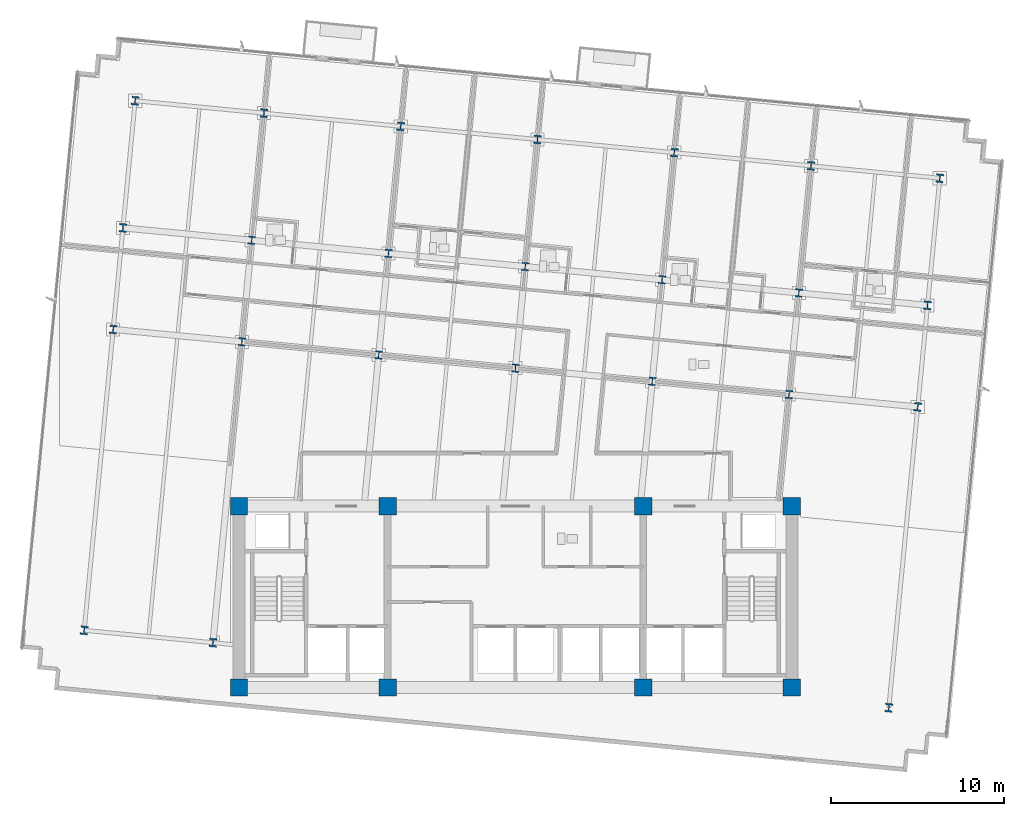
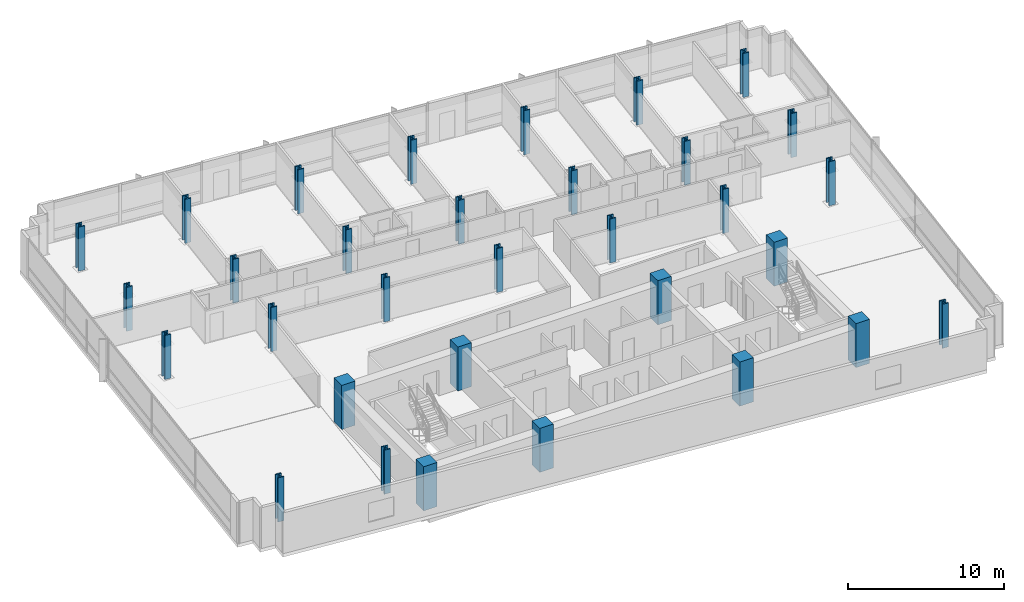
# One storey, part 1 of 17: 32 columns.
"""IFC4 building model written with IfcOpenShell, lengths in metres."""

import ifcopenshell
import ifcopenshell.guid

model = None  # the IFC model being written
_history = None  # IfcOwnerHistory: only IFC2X3 demands one
_inside = {}  # id of a spatial element -> (the spatial element, [elements in it])
_under = {}  # id of a project, library or spatial element -> (it, [spatial elements below it])
_declared = {}  # id of a project -> (the project, [libraries it declares])
_typed = {}  # id of a type object -> (the type object, [elements of that type])
_made_of = {}  # id of a material, layer set ... -> (it, [elements and type objects made of it])


def new_model(schema):
    """Start an empty IFC model of exactly this schema.

    Asked for "IFC4X3", IfcOpenShell would pick the latest addendum, in which some entities
    have other attributes; the version numbers below select the first issue.
    IFC2X3 requires an IfcOwnerHistory on every rooted entity: one is made here for all.
    """
    global model, _history
    if schema == "IFC4X3":
        model = ifcopenshell.file(schema_version=(4, 3, 0, 0))
    else:
        model = ifcopenshell.file(schema=schema)
    _inside.clear()
    _under.clear()
    _declared.clear()
    _typed.clear()
    _made_of.clear()
    _history = None
    if model.schema == "IFC2X3":
        org = make("IfcOrganization", Name="unknown")
        user = make(
            "IfcPersonAndOrganization",
            ThePerson=make("IfcPerson", FamilyName="unknown"),
            TheOrganization=org,
        )
        app = make(
            "IfcApplication",
            ApplicationDeveloper=org,
            Version="unknown",
            ApplicationFullName="unknown",
            ApplicationIdentifier="unknown",
        )
        _history = make(
            "IfcOwnerHistory",
            OwningUser=user,
            OwningApplication=app,
            ChangeAction="ADDED",
            CreationDate=0,
        )
    return model


def make(cls, **values):
    """One entity of the class cls with the attributes given. An attribute that is None is left unset."""
    return model.create_entity(
        cls, **{name: value for name, value in values.items() if value is not None}
    )


def rooted(cls, **values):
    """An entity with a GlobalId (a new one), such as an element, a storey or a relation."""
    return make(cls, GlobalId=ifcopenshell.guid.new(), OwnerHistory=_history, **values)


def si_unit(unit_type, name, prefix=None):
    """IfcSIUnit, for example si_unit("LENGTHUNIT", "METRE", prefix="MILLI")."""
    return make("IfcSIUnit", UnitType=unit_type, Prefix=prefix, Name=name)


def assignment(units):
    """IfcUnitAssignment: the units of a project."""
    return None if units is None else make("IfcUnitAssignment", Units=units)


def point(xyz):
    """IfcCartesianPoint."""
    return None if xyz is None else make("IfcCartesianPoint", Coordinates=xyz)


def direction(xyz):
    """IfcDirection."""
    return None if xyz is None else make("IfcDirection", DirectionRatios=xyz)


def frame(location, z_axis=None, x_axis=None):
    """IfcAxis2Placement3D, a coordinate frame: its origin and axes. An axis left out is left unset."""
    return make(
        "IfcAxis2Placement3D",
        Location=point(location),
        Axis=direction(z_axis),
        RefDirection=direction(x_axis),
    )


def frame_2d(location, x_axis=None):
    """IfcAxis2Placement2D, a coordinate frame in the plane: its origin and x axis."""
    return make(
        "IfcAxis2Placement2D", Location=point(location), RefDirection=direction(x_axis)
    )


def origin():
    """The frame at (0, 0, 0) with its axes left unset."""
    return frame((0.0, 0.0, 0.0))


def origin_2d():
    """The frame at (0, 0) in the plane with its x axis left unset."""
    return frame_2d((0.0, 0.0))


def place(relative_to, where):
    """IfcLocalPlacement: puts the frame where relative to a parent placement (None: the world)."""
    return make(
        "IfcLocalPlacement", PlacementRelTo=relative_to, RelativePlacement=where
    )


def context(
    kind, dimensions, precision=None, world=None, true_north=None, identifier=None
):
    """IfcGeometricRepresentationContext, for example the 3D "Model" context."""
    return make(
        "IfcGeometricRepresentationContext",
        ContextIdentifier=identifier,
        ContextType=kind,
        CoordinateSpaceDimension=dimensions,
        Precision=precision,
        WorldCoordinateSystem=world,
        TrueNorth=true_north,
    )


def subcontext(parent, identifier, kind, view, scale=None):
    """IfcGeometricRepresentationSubContext, for example "Body" below "Model"."""
    return make(
        "IfcGeometricRepresentationSubContext",
        ContextIdentifier=identifier,
        ContextType=kind,
        ParentContext=parent,
        TargetScale=scale,
        TargetView=view,
    )


def project(units=None, contexts=None):
    """IfcProject with its units and contexts."""
    return rooted(
        "IfcProject",
        Name="project",
        RepresentationContexts=contexts,
        UnitsInContext=assignment(units),
    )


def spatial(cls, under=None, at=None, **own):
    """A site, building, storey or space (cls), placed at a placement, below another one or the project."""
    s = rooted(cls, ObjectPlacement=at, **own)
    if under is not None:
        _under.setdefault(under.id(), (under, []))[1].append(s)
    return s


def profile(cls, at=None, kind="AREA", **sizes):
    """A parametric profile (cls). Its sizes go by their IFC names, for example OverallWidth=200.0."""
    return make(cls, ProfileType=kind, Position=at, **sizes)


def rectangle(**sizes):
    """IfcRectangleProfileDef."""
    return profile("IfcRectangleProfileDef", **sizes)


def i_section(**sizes):
    """IfcIShapeProfileDef."""
    return profile("IfcIShapeProfileDef", **sizes)


def extrude(swept, where, along, depth):
    """IfcExtrudedAreaSolid: the profile swept, set in the frame where, extruded along a direction by depth."""
    return make(
        "IfcExtrudedAreaSolid",
        SweptArea=swept,
        Position=where,
        ExtrudedDirection=direction(along),
        Depth=depth,
    )


def shape(context_of_items, identifier, shape_type, items):
    """IfcShapeRepresentation: the items that make up one representation, for example the "Body"."""
    return make(
        "IfcShapeRepresentation",
        ContextOfItems=context_of_items,
        RepresentationIdentifier=identifier,
        RepresentationType=shape_type,
        Items=items,
    )


def material(Name=None, Category=None):
    """IfcMaterial."""
    return make("IfcMaterial", Name=Name, Category=Category)


def material_profile(
    of_material, cross_section, Name=None, Category=None, Priority=None
):
    """IfcMaterialProfile: a cross section and its material."""
    return make(
        "IfcMaterialProfile",
        Name=Name,
        Material=of_material,
        Profile=cross_section,
        Priority=Priority,
        Category=Category,
    )


def profile_set(profiles, Name=None, composite=None):
    """IfcMaterialProfileSet."""
    return make(
        "IfcMaterialProfileSet",
        Name=Name,
        MaterialProfiles=profiles,
        CompositeProfile=composite,
    )


def made_of(thing, what):
    """Note that an element or type object is made of a material, layer set ...; save() writes the relation."""
    if what is not None:
        _made_of.setdefault(what.id(), (what, []))[1].append(thing)
    return thing


def type_object(cls, material=None, **own):
    """A type object (cls), such as IfcWallType, which elements share."""
    return made_of(rooted(cls, **own), material)


def element(
    cls,
    number,
    at=None,
    inside=None,
    cuts=None,
    type_object=None,
    material=None,
    context=None,
    identifier="Body",
    shape_type=None,
    held_by="IfcProductDefinitionShape",
    body=None,
    shapes=None,
    **own,
):
    """One element of the class cls, such as IfcWall. Its Tag is "e" and its number.

    at: its placement. inside: the storey or other place that contains it. cuts: it is an
    opening in that element (IfcRelVoidsElement). A single representation is given by context,
    identifier, shape_type and body (its items); several are given by shapes. held_by: the class
    of the entity that holds the representations. save() writes the other relations.
    """
    e = rooted(cls, Tag="e%d" % number, ObjectPlacement=at, **own)
    if body is not None:
        shapes = [shape(context, identifier, shape_type, body)]
    if shapes is not None:
        e.Representation = make(held_by, Representations=shapes)
    if inside is not None:
        _inside.setdefault(inside.id(), (inside, []))[1].append(e)
    if cuts is not None:
        rooted(
            "IfcRelVoidsElement", RelatingBuildingElement=cuts, RelatedOpeningElement=e
        )
    if type_object is not None:
        _typed.setdefault(type_object.id(), (type_object, []))[1].append(e)
    return made_of(e, material)


def aggregate(whole, parts):
    """IfcRelAggregates: a whole, such as a stair, and the parts it consists of."""
    return rooted("IfcRelAggregates", RelatingObject=whole, RelatedObjects=parts)


def save(model, path):
    """Write the relations noted so far, then the file.

    IfcRelAggregates (storeys below a building ...), IfcRelContainedInSpatialStructure (elements
    in a storey), IfcRelDefinesByType, IfcRelAssociatesMaterial and IfcRelDeclares: one each for
    every whole, place, type object, material and project.
    """
    for whole, parts in _under.values():
        aggregate(whole, parts)
    for where, things in _inside.values():
        rooted(
            "IfcRelContainedInSpatialStructure",
            RelatedElements=things,
            RelatingStructure=where,
        )
    for kind, things in _typed.values():
        rooted("IfcRelDefinesByType", RelatedObjects=things, RelatingType=kind)
    for what, things in _made_of.values():
        rooted("IfcRelAssociatesMaterial", RelatedObjects=things, RelatingMaterial=what)
    for by, libraries in _declared.values():
        rooted("IfcRelDeclares", RelatingContext=by, RelatedDefinitions=libraries)
    model.write(path)


model = new_model("IFC4")

# Units and contexts
model_context = context("Model", 3, precision=1e-05, world=origin(), true_north=direction((0.0, 1.0)))
body_context = subcontext(model_context, "Body", "Model", "MODEL_VIEW")
ifc_project = project(units=[si_unit("LENGTHUNIT", "METRE"), si_unit("AREAUNIT", "SQUARE_METRE"), si_unit("VOLUMEUNIT", "CUBIC_METRE"), si_unit("PLANEANGLEUNIT", "RADIAN"), si_unit("MASSUNIT", "GRAM", prefix="KILO")], contexts=[model_context])

# Site, building, storey
site_placement = place(None, origin())
site = spatial("IfcSite", under=ifc_project, at=site_placement, CompositionType="ELEMENT")
building_placement = place(site_placement, origin())
building = spatial("IfcBuilding", under=site, at=building_placement, Name="Solmavex Isthmus Hotel", CompositionType="ELEMENT")
storey_placement = place(building_placement, frame((0.0, 0.0, 142.800048828125)))
storey = spatial("IfcBuildingStorey", under=building, at=storey_placement, Name="L38", CompositionType="ELEMENT", Elevation=142.800048828125)

# Columns
ifc_material_1 = material(Name="Concrete C60/75", Category="concrete")
ifc_material_profile_1 = material_profile(ifc_material_1, rectangle(XDim=1.0, YDim=1.0, at=origin_2d()), Name="RC1000X1000")
ifc_profile_set_1 = profile_set([ifc_material_profile_1], Name="Concrete C60/75")
column_type_1 = type_object("IfcColumnType", Name="COL-CC-1000", PredefinedType="COLUMN", material=ifc_profile_set_1)
for number, where, z_axis, x_axis, name in (
    (1, (-16.0, -13.0, 0.0), (0.0, 0.0, 1.0), (1.0, 0.0, 0.0), "Core Pilaster CC-SW L38"),
    (2, (-7.39990234375, -13.0, 0.0), (0.0, 0.0, 1.0), (1.0, 0.0, 0.0), "Core Pilaster CC-S1 L38"),
    (3, (7.39990234375, -13.0, 0.0), (0.0, 0.0, 1.0), (1.0, 0.0, 0.0), "Core Pilaster CC-S2 L38"),
    (4, (16.0, -13.0, 0.0), (0.0, 0.0, 1.0), (1.0, 0.0, 0.0), "Core Pilaster CC-SE L38"),
    (5, (-16.0, -2.5, 0.0), (0.0, 0.0, 1.0), (1.0, 0.0, 0.0), "Core Pilaster CC-NW L38"),
    (6, (-7.39990234375, -2.5, 0.0), (0.0, 0.0, 1.0), (1.0, 0.0, 0.0), "Core Pilaster CC-N1 L38"),
    (7, (7.39990234375, -2.5, 0.0), (0.0, 0.0, 1.0), (1.0, 0.0, 0.0), "Core Pilaster CC-N2 L38"),
    (8, (16.0, -2.5, 0.0), (0.0, 0.0, 1.0), (1.0, 0.0, 0.0), "Core Pilaster CC-NE L38"),
):
    element("IfcColumn", number, at=place(storey_placement, frame(where, z_axis=z_axis, x_axis=x_axis)), inside=storey, type_object=column_type_1, Name=name, PredefinedType="COLUMN", context=body_context, shape_type="SweptSolid", body=[
        extrude(rectangle(XDim=1.0, YDim=1.0, at=origin_2d()), origin(), (0.0, 0.0, 1.0), 3.449951171875),
    ])
ifc_material_2 = material(Name="Steel ASTM A913 Grade 65", Category="steel")
ifc_material_profile_2 = material_profile(ifc_material_2, i_section(OverallWidth=0.424072265625, OverallDepth=0.47412109375, WebThickness=0.047607421875, FlangeThickness=0.0771484375, FilletRadius=0.030517578125, at=origin_2d()), Name="W14X426")
ifc_profile_set_2 = profile_set([ifc_material_profile_2], Name="Steel ASTM A913 Grade 65")
column_type_2 = type_object("IfcColumnType", Name="COL-SC-W14X426", PredefinedType="COLUMN", material=ifc_profile_set_2)
for number, where, z_axis, x_axis, name in (
    (9, (-15.83740234375, 7.015380859375, 0.0), (0.0, 0.0, 1.0), (0.995396198367, -0.09584575252, 0.0), "Tower Column B3-U2V2 L38"),
    (10, (-15.271240234375, 12.896240234375, 0.0), (0.0, 0.0, 1.0), (0.995396198367, -0.09584575252, 0.0), "Tower Column B3-U2V3 L38"),
    (11, (-7.918212890625, 6.2529296875, 0.0), (0.0, 0.0, 1.0), (0.995396198367, -0.09584575252, 0.0), "Tower Column B3-U3V2 L38"),
    (12, (-7.351806640625, 12.1337890625, 0.0), (0.0, 0.0, 1.0), (0.995396198367, -0.09584575252, 0.0), "Tower Column B3-U3V3 L38"),
    (13, (0.001220703125, 5.490234375, 0.0), (0.0, 0.0, 1.0), (0.995396198367, -0.09584575252, 0.0), "Tower Column B3-U4V2 L38"),
    (14, (0.567626953125, 11.37109375, 0.0), (0.0, 0.0, 1.0), (0.995396198367, -0.09584575252, 0.0), "Tower Column B3-U4V3 L38"),
    (15, (7.920654296875, 4.727783203125, 0.0), (0.0, 0.0, 1.0), (0.995396198367, -0.09584575252, 0.0), "Tower Column B3-U5V2 L38"),
    (16, (8.48681640625, 10.608642578125, 0.0), (0.0, 0.0, 1.0), (0.995396198367, -0.09584575252, 0.0), "Tower Column B3-U5V3 L38"),
    (17, (15.840087890625, 3.96533203125, 0.0), (0.0, 0.0, 1.0), (0.995396198367, -0.09584575252, 0.0), "Tower Column B3-U6V2 L38"),
    (18, (16.40625, 9.845947265625, 0.0), (0.0, 0.0, 1.0), (0.995396198367, -0.09584575252, 0.0), "Tower Column B3-U6V3 L38"),
):
    element("IfcColumn", number, at=place(storey_placement, frame(where, z_axis=z_axis, x_axis=x_axis)), inside=storey, type_object=column_type_2, Name=name, PredefinedType="COLUMN", context=body_context, shape_type="SweptSolid", body=[
        extrude(i_section(OverallWidth=0.424072265625, OverallDepth=0.47412109375, WebThickness=0.047607421875, FlangeThickness=0.0771484375, FilletRadius=0.030517578125, at=origin_2d()), origin(), (0.0, 0.0, 1.0), 3.449951171875),
    ])
ifc_material_profile_3 = material_profile(ifc_material_2, i_section(OverallWidth=0.43212890625, OverallDepth=0.497802734375, WebThickness=0.0556640625, FlangeThickness=0.0888671875, FilletRadius=0.030517578125, at=origin_2d()), Name="W14X500")
ifc_profile_set_3 = profile_set([ifc_material_profile_3], Name="Steel ASTM A913 Grade 65")
column_type_3 = type_object("IfcColumnType", Name="COL-SC-W14X500", PredefinedType="COLUMN", material=ifc_profile_set_3)
for number, where, z_axis, x_axis, name in (
    (19, (-24.96826171875, -9.686279296875, 0.0), (0.0, 0.0, 1.0), (0.995396198367, -0.09584575252, 0.0), "Tower Column B3-U1V1 L38"),
    (20, (-23.291015625, 7.733154296875, 0.0), (0.0, 0.0, 1.0), (0.995396198367, -0.09584575252, 0.0), "Tower Column B3-U1V2 L38"),
    (21, (-22.724853515625, 13.614013671875, 0.0), (0.0, 0.0, 1.0), (0.995396198367, -0.09584575252, 0.0), "Tower Column B3-U1V3 L38"),
    (22, (-22.016357421875, 20.971923828125, 0.0), (0.0, 0.0, 1.0), (0.995396198367, -0.09584575252, 0.0), "Tower Column B3-U1V4 L38"),
    (23, (-17.5146484375, -10.404052734375, 0.0), (0.0, 0.0, 1.0), (0.995396198367, -0.09584575252, 0.0), "Tower Column B3-U2V1 L38"),
    (24, (-14.562744140625, 20.254150390625, 0.0), (0.0, 0.0, 1.0), (0.995396198367, -0.09584575252, 0.0), "Tower Column B3-U2V4 L38"),
    (25, (-6.643310546875, 19.49169921875, 0.0), (0.0, 0.0, 1.0), (0.995396198367, -0.09584575252, 0.0), "Tower Column B3-U3V4 L38"),
    (26, (1.276123046875, 18.72900390625, 0.0), (0.0, 0.0, 1.0), (0.995396198367, -0.09584575252, 0.0), "Tower Column B3-U4V4 L38"),
    (27, (9.1953125, 17.966552734375, 0.0), (0.0, 0.0, 1.0), (0.995396198367, -0.09584575252, 0.0), "Tower Column B3-U5V4 L38"),
    (28, (17.11474609375, 17.2041015625, 0.0), (0.0, 0.0, 1.0), (0.995396198367, -0.09584575252, 0.0), "Tower Column B3-U6V4 L38"),
    (29, (21.6162109375, -14.171875, 0.0), (0.0, 0.0, 1.0), (0.995396198367, -0.09584575252, 0.0), "Tower Column B3-U7V1 L38"),
    (30, (23.29345703125, 3.24755859375, 0.0), (0.0, 0.0, 1.0), (0.995396198367, -0.09584575252, 0.0), "Tower Column B3-U7V2 L38"),
    (31, (23.85986328125, 9.12841796875, 0.0), (0.0, 0.0, 1.0), (0.995396198367, -0.09584575252, 0.0), "Tower Column B3-U7V3 L38"),
    (32, (24.568359375, 16.486328125, 0.0), (0.0, 0.0, 1.0), (0.995396198367, -0.09584575252, 0.0), "Tower Column B3-U7V4 L38"),
):
    element("IfcColumn", number, at=place(storey_placement, frame(where, z_axis=z_axis, x_axis=x_axis)), inside=storey, type_object=column_type_3, Name=name, PredefinedType="COLUMN", context=body_context, shape_type="SweptSolid", body=[
        extrude(i_section(OverallWidth=0.43212890625, OverallDepth=0.497802734375, WebThickness=0.0556640625, FlangeThickness=0.0888671875, FilletRadius=0.030517578125, at=origin_2d()), origin(), (0.0, 0.0, 1.0), 3.449951171875),
    ])

save(model, "model.ifc")
